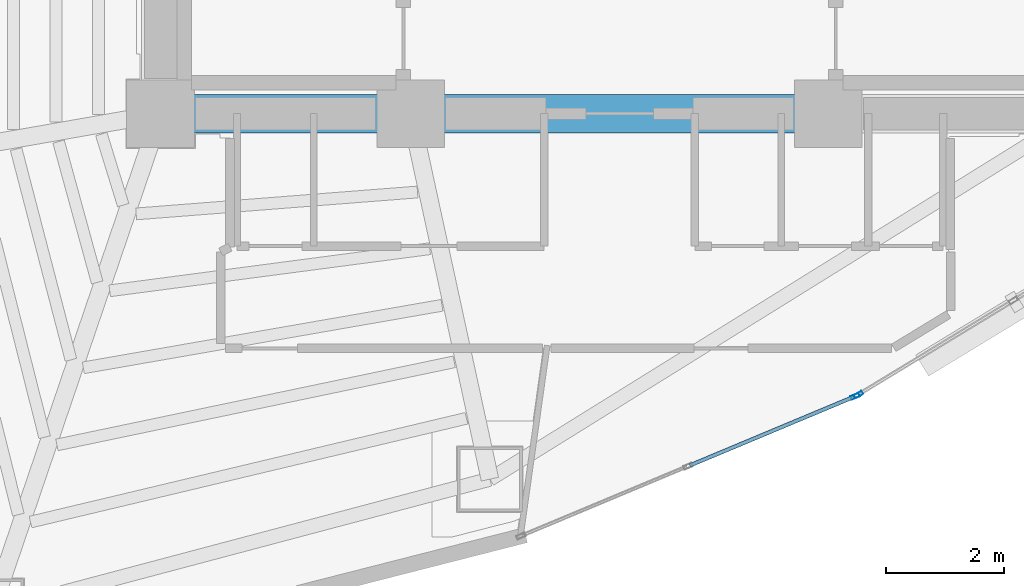
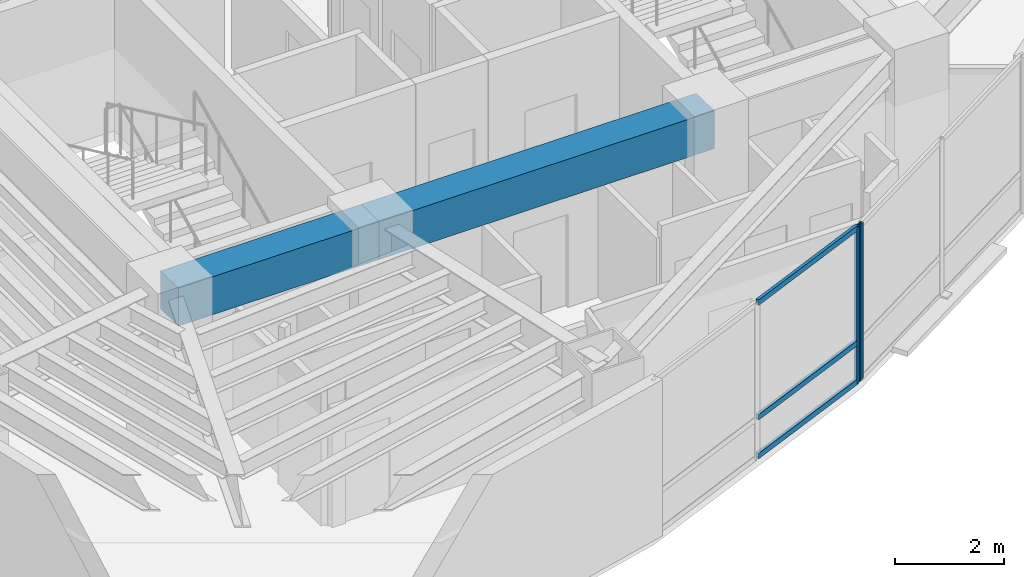
# One storey, part 4 of 15: 5 members, 2 beams, 2 elements without a shape of their own.
"""IFC4 building model written with IfcOpenShell, lengths in metres."""

from ifc_helpers import new_model, si_unit, direction, frame, origin, origin_2d, place, context, subcontext, project, spatial, rectangle, hollow_rectangle, extrude, material, layer, layer_set, material_profile, profile_set, type_object, element, aggregate, save


model = new_model("IFC4")

# Units and contexts
model_context = context("Model", 3, precision=1e-05, world=origin(), true_north=direction((0.0, 1.0)))
body_context = subcontext(model_context, "Body", "Model", "MODEL_VIEW")
ifc_project = project(units=[si_unit("LENGTHUNIT", "METRE"), si_unit("AREAUNIT", "SQUARE_METRE"), si_unit("VOLUMEUNIT", "CUBIC_METRE"), si_unit("PLANEANGLEUNIT", "RADIAN"), si_unit("MASSUNIT", "GRAM", prefix="KILO")], contexts=[model_context])

# Site, building, storey
site_placement = place(None, origin())
site = spatial("IfcSite", under=ifc_project, at=site_placement, CompositionType="ELEMENT")
building_placement = place(site_placement, origin())
building = spatial("IfcBuilding", under=site, at=building_placement, Name="Menara Vayukalpa", CompositionType="ELEMENT")
storey_placement = place(building_placement, frame((0.0, 0.0, 141.179931640625)))
storey = spatial("IfcBuildingStorey", under=building, at=storey_placement, Name="L35", CompositionType="ELEMENT", Elevation=141.179931640625)

# Beams
ifc_material_1 = material(Name="Concrete C60/75", Category="concrete")
ifc_material_profile_1 = material_profile(ifc_material_1, rectangle(XDim=0.64990234375, YDim=0.85009765625, at=origin_2d()), Name="RC 650x850")
ifc_profile_set_1 = profile_set([ifc_material_profile_1], Name="Concrete C60/75")
beam_type = type_object("IfcBeamType", Name="BM-CB1", PredefinedType="BEAM", material=ifc_profile_set_1)
beam_1_placement = place(storey_placement, frame((17.800048828125, 17.199951171875, 3.074951171875), z_axis=(1.0, 0.0, 0.0), x_axis=(0.0, 1.0, 0.0)))
element("IfcBeam", 1, at=beam_1_placement, inside=storey, type_object=beam_type, Name="L35 Core Tie Beam CBR1", PredefinedType="BEAM", context=body_context, shape_type="SweptSolid", body=[
    extrude(rectangle(XDim=0.64990234375, YDim=0.85009765625, at=origin_2d()), origin(), (0.0, 0.0, 1.0), 4.25),
])
beam_2_placement = place(storey_placement, frame((22.050048828125, 17.199951171875, 3.074951171875), z_axis=(1.0, 0.0, 0.0), x_axis=(0.0, 1.0, 0.0)))
element("IfcBeam", 2, at=beam_2_placement, inside=storey, type_object=beam_type, Name="L35 Core Tie Beam CBR2", PredefinedType="BEAM", context=body_context, shape_type="SweptSolid", body=[
    extrude(rectangle(XDim=0.64990234375, YDim=0.85009765625, at=origin_2d()), origin(), (0.0, 0.0, 1.0), 7.099853515625),
])

# Curtain wall, member
ifc_material_2 = material(Name="Anodised Terracotta Aluminium Alloy 6063-T6", Category="masonry")
ifc_layer = layer(ifc_material_2, 0.14990234375)
ifc_layer_set = layer_set([ifc_layer], Name="Anodised Terracotta Aluminium Alloy 6063-T6")
curtain_wall_type = type_object("IfcCurtainWallType", Name="CW-CW3", PredefinedType="USERDEFINED", material=ifc_layer_set)
curtain_wall_1_placement = place(storey_placement, origin())
curtain_wall_1 = element("IfcCurtainWall", 3, at=curtain_wall_1_placement, inside=storey, type_object=curtain_wall_type, Name="L35 Mid Rise Terracotta Ribbon Curtain Wall CW3 16", ObjectType="UNITISED", PredefinedType="USERDEFINED")
ifc_material_3 = material(Name="Anodised Terracotta Aluminium Alloy 6063-T6", Category="masonry")
ifc_material_profile_2 = material_profile(ifc_material_3, hollow_rectangle(XDim=0.06494140625, YDim=0.14990234375, WallThickness=0.00341796875, at=origin_2d()), Name="ALU 65x150x3.5")
ifc_profile_set_2 = profile_set([ifc_material_profile_2], Name="Anodised Terracotta Aluminium Alloy 6063-T6")
member_type_1 = type_object("IfcMemberType", Name="CWM-CW3", PredefinedType="MULLION", material=ifc_profile_set_2)
member_1_placement = place(storey_placement, frame((29.606689453125, 12.396484375, 0.0), z_axis=(0.0, 0.0, 1.0), x_axis=(-0.385886210456, 0.922546385056, 0.0)))
member_1 = element("IfcMember", 4, at=member_1_placement, type_object=member_type_1, Name="CW3 mullion 3", PredefinedType="MULLION", context=body_context, shape_type="SweptSolid", body=[
    extrude(hollow_rectangle(XDim=0.06494140625, YDim=0.14990234375, WallThickness=0.00341796875, at=origin_2d()), origin(), (0.0, 0.0, 1.0), 3.5),
])

curtain_wall_2_placement = place(storey_placement, origin())
curtain_wall_2 = element("IfcCurtainWall", 5, at=curtain_wall_2_placement, inside=storey, type_object=curtain_wall_type, Name="L35 Mid Rise Terracotta Ribbon Curtain Wall CW3 17", ObjectType="UNITISED", PredefinedType="USERDEFINED")
member_2_placement = place(storey_placement, frame((29.66455078125, 12.42578125, 0.0), z_axis=(0.0, 0.0, 1.0), x_axis=(-0.519195768176, 0.854655342409, 0.0)))
member_2 = element("IfcMember", 6, at=member_2_placement, type_object=member_type_1, Name="CW3 mullion 1", PredefinedType="MULLION", context=body_context, shape_type="SweptSolid", body=[
    extrude(hollow_rectangle(XDim=0.06494140625, YDim=0.14990234375, WallThickness=0.00341796875, at=origin_2d()), origin(), (0.0, 0.0, 1.0), 3.5),
])
aggregate(curtain_wall_2, [member_2])

# Member
ifc_material_4 = material(Name="Anodised Terracotta Aluminium Alloy 6063-T6", Category="masonry")
ifc_material_profile_3 = material_profile(ifc_material_4, hollow_rectangle(XDim=0.06494140625, YDim=0.1201171875, WallThickness=0.00341796875, at=origin_2d()), Name="ALU 65x120x3.5")
ifc_profile_set_3 = profile_set([ifc_material_profile_3], Name="Anodised Terracotta Aluminium Alloy 6063-T6")
member_type_2 = type_object("IfcMemberType", Name="CWT-CW3", PredefinedType="USERDEFINED", material=ifc_profile_set_3)
member_3_placement = place(storey_placement, frame((26.79638671875, 11.220947265625, 0.032470703125), z_axis=(0.922529540739, 0.385926478054, 0.0), x_axis=(-0.385926478054, 0.922529540739, 0.0)))
member_3 = element("IfcMember", 7, at=member_3_placement, type_object=member_type_2, Name="CW3 transom 2.1", ObjectType="TRANSOM", PredefinedType="USERDEFINED", context=body_context, shape_type="SweptSolid", body=[
    extrude(hollow_rectangle(XDim=0.06494140625, YDim=0.1201171875, WallThickness=0.00341796875, at=origin_2d()), origin(), (0.0, 0.0, 1.0), 3.013671875),
])

member_4_placement = place(storey_placement, frame((26.79638671875, 11.220947265625, 0.900146484375), z_axis=(0.922529540739, 0.385926478054, 0.0), x_axis=(-0.385926478054, 0.922529540739, 0.0)))
member_4 = element("IfcMember", 8, at=member_4_placement, type_object=member_type_2, Name="CW3 transom 2.2", ObjectType="TRANSOM", PredefinedType="USERDEFINED", context=body_context, shape_type="SweptSolid", body=[
    extrude(hollow_rectangle(XDim=0.06494140625, YDim=0.1201171875, WallThickness=0.00341796875, at=origin_2d()), origin(), (0.0, 0.0, 1.0), 3.013671875),
])

member_5_placement = place(storey_placement, frame((26.79638671875, 11.220947265625, 3.467529296875), z_axis=(0.922529540739, 0.385926478054, 0.0), x_axis=(-0.385926478054, 0.922529540739, 0.0)))
member_5 = element("IfcMember", 9, at=member_5_placement, type_object=member_type_2, Name="CW3 transom 2.3", ObjectType="TRANSOM", PredefinedType="USERDEFINED", context=body_context, shape_type="SweptSolid", body=[
    extrude(hollow_rectangle(XDim=0.06494140625, YDim=0.1201171875, WallThickness=0.00341796875, at=origin_2d()), origin(), (0.0, 0.0, 1.0), 3.013671875),
])

aggregate(curtain_wall_1, [member_1, member_3, member_4, member_5])

save(model, "model.ifc")
